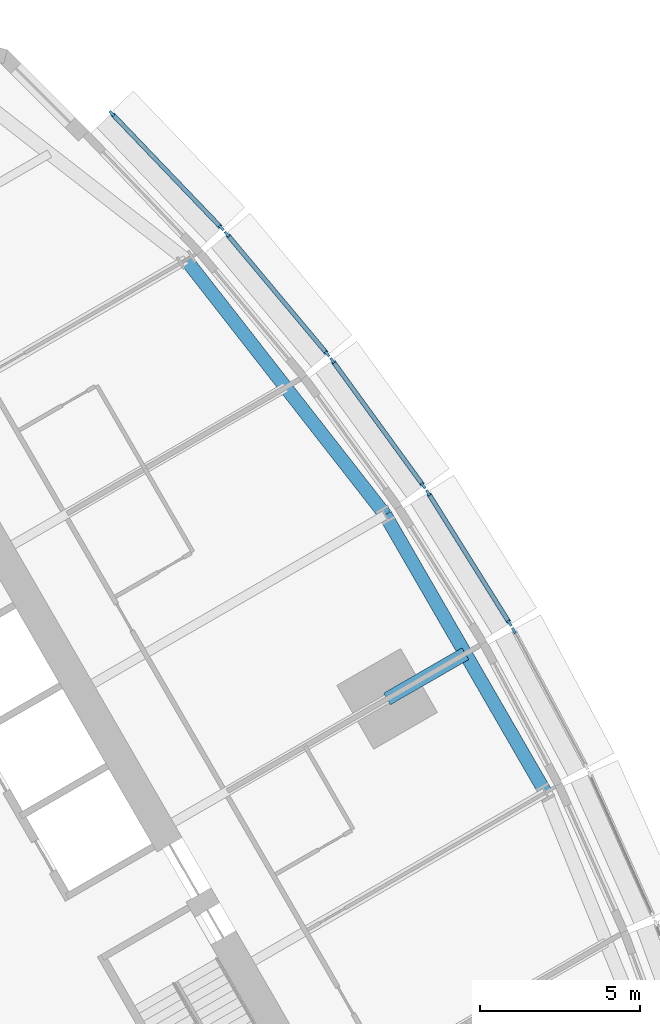
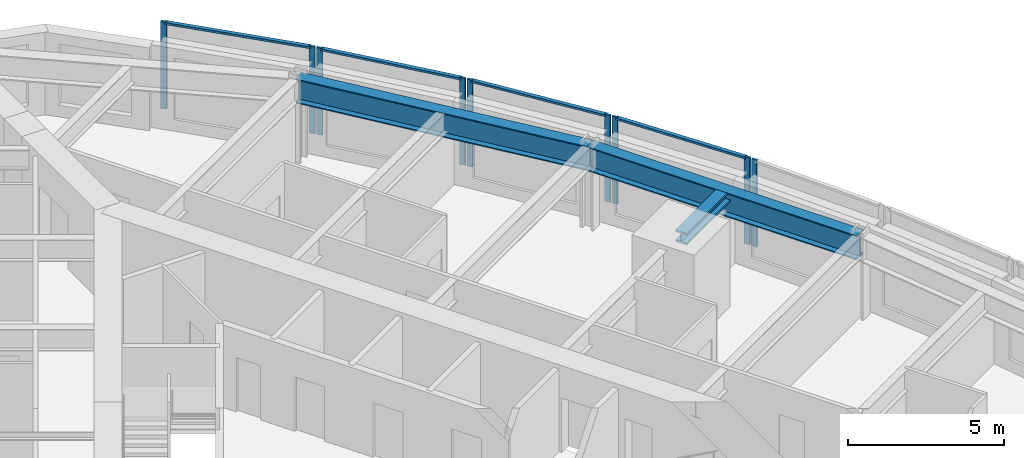
# One storey, part 5 of 14: 13 members, 3 beams, 5 elements without a shape of their own.
"""IFC4 building model written with IfcOpenShell, lengths in metres."""

from ifc_helpers import new_model, si_unit, direction, frame, origin, origin_2d, place, context, subcontext, project, spatial, rectangle, i_section, extrude, material, material_profile, profile_set, type_object, element, aggregate, save


model = new_model("IFC4")

# Units and contexts
model_context = context("Model", 3, precision=1e-05, world=origin(), true_north=direction((0.0, 1.0)))
body_context = subcontext(model_context, "Body", "Model", "MODEL_VIEW")
ifc_project = project(units=[si_unit("LENGTHUNIT", "METRE"), si_unit("AREAUNIT", "SQUARE_METRE"), si_unit("VOLUMEUNIT", "CUBIC_METRE"), si_unit("PLANEANGLEUNIT", "RADIAN"), si_unit("MASSUNIT", "GRAM", prefix="KILO")], contexts=[model_context])

# Site, building, storey
site_placement = place(None, origin())
site = spatial("IfcSite", under=ifc_project, at=site_placement, CompositionType="ELEMENT")
building_placement = place(site_placement, origin())
building = spatial("IfcBuilding", under=site, at=building_placement, Name="Trikona Tower", CompositionType="ELEMENT")
storey_placement = place(building_placement, frame((0.0, 0.0, 175.89990234375)))
storey = spatial("IfcBuildingStorey", under=building, at=storey_placement, Name="L47", CompositionType="ELEMENT", Elevation=175.89990234375)

# Curtain wall, member
ifc_material_1 = material(Name="Aluminium curtain wall system", Category="aluminium")
curtain_wall_type = type_object("IfcCurtainWallType", Name="Curtain wall DS2", PredefinedType="NOTDEFINED", material=ifc_material_1)
curtain_wall_1_placement = place(storey_placement, origin())
curtain_wall_1 = element("IfcCurtainWall", 1, at=curtain_wall_1_placement, inside=storey, type_object=curtain_wall_type, Name="Curtain wall DS2 L47", PredefinedType="NOTDEFINED")
ifc_material_2 = material(Name="Aluminium mullion, pale anodised", Category="aluminium")
ifc_material_profile_1 = material_profile(ifc_material_2, rectangle(XDim=0.080078125, YDim=0.199951171875, at=origin_2d()), Name="MUL-DS2")
ifc_profile_set_1 = profile_set([ifc_material_profile_1], Name="Aluminium mullion, pale anodised")
member_type_1 = type_object("IfcMemberType", Name="Mullion DS2 80x200", PredefinedType="MULLION", material=ifc_profile_set_1)
member_1_placement = place(storey_placement, frame((19.2666015625, 10.9716796875, 0.0), z_axis=(0.0, 0.0, 1.0), x_axis=(-0.882996107343, -0.469380308937, 0.0)))
member_1 = element("IfcMember", 2, at=member_1_placement, type_object=member_type_1, Name="CW-DS2 mullion 2", PredefinedType="MULLION", context=body_context, shape_type="SweptSolid", body=[
    extrude(rectangle(XDim=0.080078125, YDim=0.199951171875, at=origin_2d()), origin(), (0.0, 0.0, 1.0), 3.400146484375),
])
aggregate(curtain_wall_1, [member_1])

# Curtain wall, members
curtain_wall_2_placement = place(storey_placement, origin())
curtain_wall_2 = element("IfcCurtainWall", 3, at=curtain_wall_2_placement, inside=storey, type_object=curtain_wall_type, Name="Curtain wall DS2 L47", PredefinedType="NOTDEFINED")
member_2_placement = place(storey_placement, frame((19.135009765625, 11.199462890625, 0.0), z_axis=(0.0, 0.0, 1.0), x_axis=(-0.847998304006, -0.529998940002, 0.0)))
member_2 = element("IfcMember", 4, at=member_2_placement, type_object=member_type_1, Name="CW-DS2 mullion 1", PredefinedType="MULLION", context=body_context, shape_type="SweptSolid", body=[
    extrude(rectangle(XDim=0.080078125, YDim=0.199951171875, at=origin_2d()), origin(), (0.0, 0.0, 1.0), 3.400146484375),
])
member_3_placement = place(storey_placement, frame((16.589599609375, 15.2724609375, 0.0), z_axis=(0.0, 0.0, 1.0), x_axis=(-0.847998304006, -0.529998940002, 0.0)))
member_3 = element("IfcMember", 5, at=member_3_placement, type_object=member_type_1, Name="CW-DS2 mullion 2", PredefinedType="MULLION", context=body_context, shape_type="SweptSolid", body=[
    extrude(rectangle(XDim=0.080078125, YDim=0.199951171875, at=origin_2d()), origin(), (0.0, 0.0, 1.0), 3.400146484375),
])

curtain_wall_3_placement = place(storey_placement, origin())
curtain_wall_3 = element("IfcCurtainWall", 6, at=curtain_wall_3_placement, inside=storey, type_object=curtain_wall_type, Name="Curtain wall DS2 L47", PredefinedType="NOTDEFINED")
member_4_placement = place(storey_placement, frame((16.442626953125, 15.489990234375, 0.0), z_axis=(0.0, 0.0, 1.0), x_axis=(-0.80908576332, -0.587690588313, 0.0)))
member_4 = element("IfcMember", 7, at=member_4_placement, type_object=member_type_1, Name="CW-DS2 mullion 1", PredefinedType="MULLION", context=body_context, shape_type="SweptSolid", body=[
    extrude(rectangle(XDim=0.080078125, YDim=0.199951171875, at=origin_2d()), origin(), (0.0, 0.0, 1.0), 3.400146484375),
])
member_5_placement = place(storey_placement, frame((13.605712890625, 19.39599609375, 0.0), z_axis=(0.0, 0.0, 1.0), x_axis=(-0.80908576332, -0.587690588313, 0.0)))
member_5 = element("IfcMember", 8, at=member_5_placement, type_object=member_type_1, Name="CW-DS2 mullion 2", PredefinedType="MULLION", context=body_context, shape_type="SweptSolid", body=[
    extrude(rectangle(XDim=0.080078125, YDim=0.199951171875, at=origin_2d()), origin(), (0.0, 0.0, 1.0), 3.400146484375),
])

curtain_wall_4_placement = place(storey_placement, origin())
curtain_wall_4 = element("IfcCurtainWall", 9, at=curtain_wall_4_placement, inside=storey, type_object=curtain_wall_type, Name="Curtain wall DS2 L47", PredefinedType="NOTDEFINED")
member_6_placement = place(storey_placement, frame((13.44482421875, 19.602294921875, 0.0), z_axis=(0.0, 0.0, 1.0), x_axis=(-0.766866678271, -0.641806433248, 0.0)))
member_6 = element("IfcMember", 10, at=member_6_placement, type_object=member_type_1, Name="CW-DS2 mullion 1", PredefinedType="MULLION", context=body_context, shape_type="SweptSolid", body=[
    extrude(rectangle(XDim=0.080078125, YDim=0.199951171875, at=origin_2d()), origin(), (0.0, 0.0, 1.0), 3.400146484375),
])
member_7_placement = place(storey_placement, frame((10.315185546875, 23.34130859375, 0.0), z_axis=(0.0, 0.0, 1.0), x_axis=(-0.766866678271, -0.641806433248, 0.0)))
member_7 = element("IfcMember", 11, at=member_7_placement, type_object=member_type_1, Name="CW-DS2 mullion 2", PredefinedType="MULLION", context=body_context, shape_type="SweptSolid", body=[
    extrude(rectangle(XDim=0.080078125, YDim=0.199951171875, at=origin_2d()), origin(), (0.0, 0.0, 1.0), 3.400146484375),
])

curtain_wall_5_placement = place(storey_placement, origin())
curtain_wall_5 = element("IfcCurtainWall", 12, at=curtain_wall_5_placement, inside=storey, type_object=curtain_wall_type, Name="Curtain wall DS2 L47", PredefinedType="NOTDEFINED")
member_8_placement = place(storey_placement, frame((10.1416015625, 23.535400390625, 0.0), z_axis=(0.0, 0.0, 1.0), x_axis=(-0.722158330767, -0.691727797117, 0.0)))
member_8 = element("IfcMember", 13, at=member_8_placement, type_object=member_type_1, Name="CW-DS2 mullion 1", PredefinedType="MULLION", context=body_context, shape_type="SweptSolid", body=[
    extrude(rectangle(XDim=0.080078125, YDim=0.199951171875, at=origin_2d()), origin(), (0.0, 0.0, 1.0), 3.400146484375),
])
member_9_placement = place(storey_placement, frame((6.718994140625, 27.1083984375, 0.0), z_axis=(0.0, 0.0, 1.0), x_axis=(-0.722158330767, -0.691727797117, 0.0)))
member_9 = element("IfcMember", 14, at=member_9_placement, type_object=member_type_1, Name="CW-DS2 mullion 2", PredefinedType="MULLION", context=body_context, shape_type="SweptSolid", body=[
    extrude(rectangle(XDim=0.080078125, YDim=0.199951171875, at=origin_2d()), origin(), (0.0, 0.0, 1.0), 3.400146484375),
])

# Beams
ifc_material_3 = material(Name="Steel ASTM A992 Grade 50", Category="steel")
ifc_material_profile_2 = material_profile(ifc_material_3, i_section(OverallWidth=0.419189453125, OverallDepth=0.45458984375, WebThickness=0.042236328125, FlangeThickness=0.067626953125, at=origin_2d()), Name="W14X370")
ifc_profile_set_2 = profile_set([ifc_material_profile_2], Name="Steel ASTM A992 Grade 50")
beam_type_1 = type_object("IfcBeamType", Name="Steel beam W14x370 (apex bracket)", PredefinedType="BEAM", material=ifc_profile_set_2)
beam_1_placement = place(storey_placement, frame((15.311767578125, 8.84033203125, 3.0078125), z_axis=(0.86605005072, 0.499957307824, 0.0), x_axis=(-0.499957307824, 0.86605005072, 0.0)))
element("IfcBeam", 15, at=beam_1_placement, inside=storey, type_object=beam_type_1, Name="Cantilever bracket L48 F2", PredefinedType="BEAM", context=body_context, shape_type="SweptSolid", body=[
    extrude(i_section(OverallWidth=0.419189453125, OverallDepth=0.45458984375, WebThickness=0.042236328125, FlangeThickness=0.067626953125, at=origin_2d()), origin(), (0.0, 0.0, 1.0), 2.819580078125),
])
ifc_material_4 = material(Name="Steel ASTM A992 Grade 50", Category="steel")
ifc_material_profile_3 = material_profile(ifc_material_4, i_section(OverallWidth=0.424072265625, OverallDepth=0.947509765625, WebThickness=0.02392578125, FlangeThickness=0.042724609375, at=origin_2d()), Name="W36X302")
ifc_profile_set_3 = profile_set([ifc_material_profile_3], Name="Steel ASTM A992 Grade 50")
beam_type_2 = type_object("IfcBeamType", Name="Steel beam W36x302 (spandrel)", PredefinedType="SPANDREL", material=ifc_profile_set_3)
beam_2_placement = place(storey_placement, frame((20.253662109375, 5.919921875, 2.761474609375), z_axis=(-0.500004234368, 0.866022959057, 0.0), x_axis=(-0.866022959057, -0.500004234368, 0.0)))
element("IfcBeam", 16, at=beam_2_placement, inside=storey, type_object=beam_type_2, Name="Spandrel beam L48 F2-3", PredefinedType="SPANDREL", context=body_context, shape_type="SweptSolid", body=[
    extrude(i_section(OverallWidth=0.424072265625, OverallDepth=0.947509765625, WebThickness=0.02392578125, FlangeThickness=0.042724609375, at=origin_2d()), origin(), (0.0, 0.0, 1.0), 10.0),
])
beam_3_placement = place(storey_placement, frame((15.253662109375, 14.580078125, 2.761474609375), z_axis=(-0.615232009054, 0.788346101046, 0.0), x_axis=(-0.788346101046, -0.615232009054, 0.0)))
element("IfcBeam", 17, at=beam_3_placement, inside=storey, type_object=beam_type_2, Name="Spandrel beam L48 F2-4", PredefinedType="SPANDREL", context=body_context, shape_type="SweptSolid", body=[
    extrude(i_section(OverallWidth=0.424072265625, OverallDepth=0.947509765625, WebThickness=0.02392578125, FlangeThickness=0.042724609375, at=origin_2d()), origin(), (0.0, 0.0, 1.0), 10.09765625),
])

# Member
ifc_material_5 = material(Name="Aluminium transom, pale anodised", Category="aluminium")
ifc_material_profile_4 = material_profile(ifc_material_5, rectangle(XDim=0.139892578125, YDim=0.080078125, at=origin_2d()), Name="TRN-DS2")
ifc_profile_set_4 = profile_set([ifc_material_profile_4], Name="Aluminium transom, pale anodised")
member_type_2 = type_object("IfcMemberType", Name="Transom DS2 80x140", PredefinedType="USERDEFINED", material=ifc_profile_set_4)
member_10_placement = place(storey_placement, frame((19.114013671875, 11.2333984375, 3.360107421875), z_axis=(-0.530031463794, 0.847977975769, 0.0), x_axis=(-0.847977975769, -0.530031463794, 0.0)))
member_10 = element("IfcMember", 18, at=member_10_placement, type_object=member_type_2, Name="CW-DS2 transom 1.1", ObjectType="TRANSOM", PredefinedType="USERDEFINED", context=body_context, shape_type="SweptSolid", body=[
    extrude(rectangle(XDim=0.139892578125, YDim=0.080078125, at=origin_2d()), origin(), (0.0, 0.0, 1.0), 4.72314453125),
])

aggregate(curtain_wall_2, [member_2, member_3, member_10])

member_11_placement = place(storey_placement, frame((16.419189453125, 15.5224609375, 3.360107421875), z_axis=(-0.587694585883, 0.809082859616, 0.0), x_axis=(-0.809082859616, -0.587694585883, 0.0)))
member_11 = element("IfcMember", 19, at=member_11_placement, type_object=member_type_2, Name="CW-DS2 transom 1.1", ObjectType="TRANSOM", PredefinedType="USERDEFINED", context=body_context, shape_type="SweptSolid", body=[
    extrude(rectangle(XDim=0.139892578125, YDim=0.080078125, at=origin_2d()), origin(), (0.0, 0.0, 1.0), 4.747314453125),
])

aggregate(curtain_wall_3, [member_4, member_5, member_11])

member_12_placement = place(storey_placement, frame((13.4189453125, 19.6328125, 3.360107421875), z_axis=(-0.641770294892, 0.766896921753, 0.0), x_axis=(-0.766896921753, -0.641770294892, 0.0)))
member_12 = element("IfcMember", 20, at=member_12_placement, type_object=member_type_2, Name="CW-DS2 transom 1.1", ObjectType="TRANSOM", PredefinedType="USERDEFINED", context=body_context, shape_type="SweptSolid", body=[
    extrude(rectangle(XDim=0.139892578125, YDim=0.080078125, at=origin_2d()), origin(), (0.0, 0.0, 1.0), 4.7958984375),
])

aggregate(curtain_wall_4, [member_6, member_7, member_12])

member_13_placement = place(storey_placement, frame((10.114013671875, 23.564208984375, 3.360107421875), z_axis=(-0.691721246785, 0.722164605022, 0.0), x_axis=(-0.722164605022, -0.691721246785, 0.0)))
member_13 = element("IfcMember", 21, at=member_13_placement, type_object=member_type_2, Name="CW-DS2 transom 1.1", ObjectType="TRANSOM", PredefinedType="USERDEFINED", context=body_context, shape_type="SweptSolid", body=[
    extrude(rectangle(XDim=0.139892578125, YDim=0.080078125, at=origin_2d()), origin(), (0.0, 0.0, 1.0), 4.867919921875),
])

aggregate(curtain_wall_5, [member_8, member_9, member_13])

save(model, "model.ifc")
